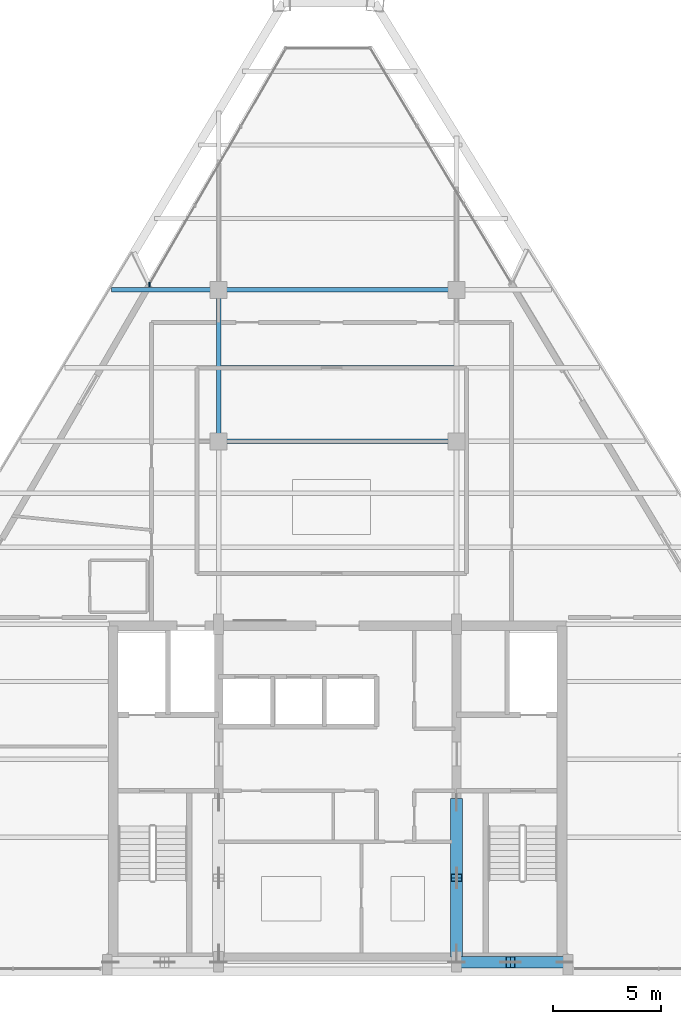
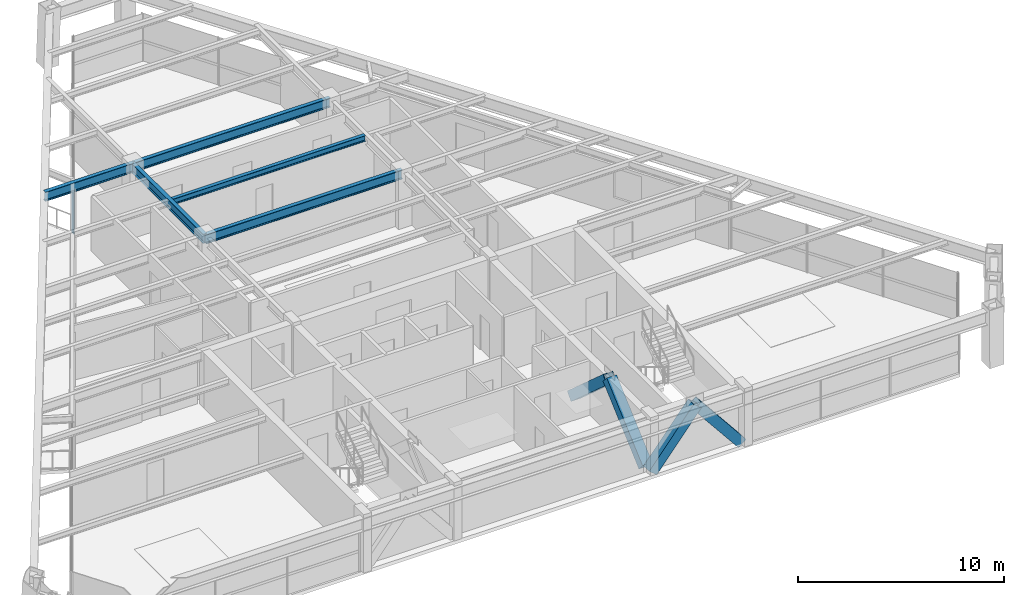
# One storey, part 4 of 13: 6 members, 5 beams, 1 element without a shape of its own.
"""IFC4 building model written with IfcOpenShell, lengths in metres."""

from ifc_helpers import new_model, si_unit, direction, frame, origin, origin_2d, place, context, subcontext, project, spatial, rectangle, hollow_rectangle, i_section, extrude, source, transform, mapped, material, material_profile, profile_set, type_object, element, aggregate, save


model = new_model("IFC4")

# Units and contexts
model_context = context("Model", 3, precision=1e-05, world=origin(), true_north=direction((0.0, 1.0)))
body_context = subcontext(model_context, "Body", "Model", "MODEL_VIEW")
ifc_project = project(units=[si_unit("LENGTHUNIT", "METRE"), si_unit("AREAUNIT", "SQUARE_METRE"), si_unit("VOLUMEUNIT", "CUBIC_METRE"), si_unit("PLANEANGLEUNIT", "RADIAN"), si_unit("MASSUNIT", "GRAM", prefix="KILO")], contexts=[model_context])

# Site, building, storey
site_placement = place(None, origin())
site = spatial("IfcSite", under=ifc_project, at=site_placement, CompositionType="ELEMENT")
building_placement = place(site_placement, origin())
building = spatial("IfcBuilding", under=site, at=building_placement, Name="Varnakhor Terracotta Tower", CompositionType="ELEMENT")
storey_placement = place(building_placement, frame((0.0, 0.0, 266.10009765625)))
storey = spatial("IfcBuildingStorey", under=building, at=storey_placement, Name="L69", CompositionType="ELEMENT", Elevation=266.10009765625)

# Beams
ifc_material_1 = material(Name="Steel S355", Category="steel")
ifc_material_profile_1 = material_profile(ifc_material_1, i_section(OverallWidth=0.214111328125, OverallDepth=0.549072265625, WebThickness=0.014892578125, FlangeThickness=0.02392578125, FilletRadius=0.01806640625, at=origin_2d()), Name="W21X93")
ifc_profile_set_1 = profile_set([ifc_material_profile_1], Name="Steel S355")
beam_type_1 = type_object("IfcBeamType", Name="BM-W21X93", PredefinedType="BEAM", material=ifc_profile_set_1)
shared_shape_1 = source(origin(), body_context, "Body", "SweptSolid", [
    extrude(i_section(OverallWidth=0.214111328125, OverallDepth=0.549072265625, WebThickness=0.014892578125, FlangeThickness=0.02392578125, FilletRadius=0.01806640625, at=origin_2d()), origin(), (0.0, 0.0, 1.0), 7.0),
])
beam_1_placement = place(storey_placement, frame((-5.5, 24.5, 2.96533203125), z_axis=(0.0, 1.0, 0.0), x_axis=(-1.0, 0.0, 0.0)))
element("IfcBeam", 1, at=beam_1_placement, inside=storey, type_object=beam_type_1, Name="L69 Primary Girder NS2-W", PredefinedType="BEAM", context=body_context, shape_type="MappedRepresentation", body=[
    mapped(shared_shape_1, transform((0.0, 0.0, 0.0), scale=1.0)),
])
shared_shape_2 = source(origin(), body_context, "Body", "SweptSolid", [
    extrude(i_section(OverallWidth=0.214111328125, OverallDepth=0.549072265625, WebThickness=0.014892578125, FlangeThickness=0.02392578125, FilletRadius=0.01806640625, at=origin_2d()), origin(), (0.0, 0.0, 1.0), 11.0),
])
for number, where, z_axis, x_axis, name in (
    (2, (-5.5, 24.5, 2.96533203125), (1.0, 0.0, 0.0), (0.0, 1.0, 0.0), "L69 Primary Girder EW2-2"),
    (3, (-5.5, 31.5, 2.96533203125), (1.0, 0.0, 0.0), (0.0, 1.0, 0.0), "L69 Primary Girder EW3-2"),
):
    element("IfcBeam", number, at=place(storey_placement, frame(where, z_axis=z_axis, x_axis=x_axis)), inside=storey, type_object=beam_type_1, Name=name, PredefinedType="BEAM", context=body_context, shape_type="MappedRepresentation", body=[
        mapped(shared_shape_2, transform((0.0, 0.0, 0.0), scale=1.0)),
    ])
ifc_material_profile_2 = material_profile(ifc_material_1, i_section(OverallWidth=0.202880859375, OverallDepth=0.346923828125, WebThickness=0.0078125, FlangeThickness=0.013427734375, FilletRadius=0.01806640625, at=origin_2d()), Name="W14X43")
ifc_profile_set_2 = profile_set([ifc_material_profile_2], Name="Steel S355")
beam_type_2 = type_object("IfcBeamType", Name="JST-W14X43", PredefinedType="JOIST", material=ifc_profile_set_2)
shared_shape_3 = source(origin(), body_context, "Body", "SweptSolid", [
    extrude(i_section(OverallWidth=0.202880859375, OverallDepth=0.346923828125, WebThickness=0.0078125, FlangeThickness=0.013427734375, FilletRadius=0.01806640625, at=origin_2d()), origin(), (0.0, 0.0, 1.0), 10.7939453125),
])
beam_2_placement = place(storey_placement, frame((-5.39697265625, 27.89990234375, 3.06640625), z_axis=(1.0, 0.0, 0.0), x_axis=(0.0, 1.0, 0.0)))
element("IfcBeam", 4, at=beam_2_placement, inside=storey, type_object=beam_type_2, Name="L69 Composite Floor Joist 6-2", PredefinedType="JOIST", context=body_context, shape_type="MappedRepresentation", body=[
    mapped(shared_shape_3, transform((0.0, 0.0, 0.0), scale=1.0)),
])

# Members
ifc_material_profile_3 = material_profile(ifc_material_1, hollow_rectangle(XDim=0.550048828125, YDim=0.550048828125, WallThickness=0.034912109375, at=origin_2d()), Name="HSS550X550X35")
ifc_profile_set_3 = profile_set([ifc_material_profile_3], Name="Steel S355")
member_type_1 = type_object("IfcMemberType", Name="MBR-MEGA-550", PredefinedType="BRACE", material=ifc_profile_set_3)
shared_shape_4 = source(origin(), body_context, "Body", "SweptSolid", [
    extrude(hollow_rectangle(XDim=0.550048828125, YDim=0.550048828125, WallThickness=0.034912109375, at=origin_2d()), origin(), (0.0, 0.0, 1.0), 4.650146484375),
])
member_1_placement = place(storey_placement, frame((5.5, 7.800048828125, 0.0), z_axis=(0.0, -0.747316617832, 0.664468112638), x_axis=(1.0, 0.0, 0.0)))
element("IfcMember", 5, at=member_1_placement, inside=storey, type_object=member_type_1, Name="L69 Core Coupled Brace CWEB", PredefinedType="BRACE", context=body_context, shape_type="MappedRepresentation", body=[
    mapped(shared_shape_4, transform((0.0, 0.0, 0.0), scale=1.0)),
])
shared_shape_5 = source(origin(), body_context, "Body", "SweptSolid", [
    extrude(hollow_rectangle(XDim=0.550048828125, YDim=0.550048828125, WallThickness=0.034912109375, at=origin_2d()), origin(), (0.0, 0.0, 1.0), 3.974609375),
])
for number, where, z_axis, x_axis, name in (
    (6, (5.5, 0.419921875, 0.0), (0.629000299358, 0.0, 0.777405057488), (0.0, 1.0, 0.0), "L69 Core Coupled Brace CSEA"),
    (7, (10.5, 0.419921875, 0.0), (-0.629000299358, 0.0, 0.777405057488), (0.0, -1.0, 0.0), "L69 Core Coupled Brace CSEB"),
):
    element("IfcMember", number, at=place(storey_placement, frame(where, z_axis=z_axis, x_axis=x_axis)), inside=storey, type_object=member_type_1, Name=name, PredefinedType="BRACE", context=body_context, shape_type="MappedRepresentation", body=[
        mapped(shared_shape_5, transform((0.0, 0.0, 0.0), scale=1.0)),
    ])
shared_shape_6 = source(origin(), body_context, "Body", "SweptSolid", [
    extrude(hollow_rectangle(XDim=0.550048828125, YDim=0.550048828125, WallThickness=0.034912109375, at=origin_2d()), origin(), (0.0, 0.0, 1.0), 4.64990234375),
])
member_2_placement = place(storey_placement, frame((5.5, 0.85009765625, 0.0), z_axis=(0.0, 0.747293435799, 0.664494184182), x_axis=(-1.0, 0.0, 0.0)))
element("IfcMember", 8, at=member_2_placement, inside=storey, type_object=member_type_1, Name="L69 Core Coupled Brace CWEA", PredefinedType="BRACE", context=body_context, shape_type="MappedRepresentation", body=[
    mapped(shared_shape_6, transform((0.0, 0.0, 0.0), scale=1.0)),
])

# Beam
shared_shape_7 = source(origin(), body_context, "Body", "SweptSolid", [
    extrude(i_section(OverallWidth=0.214111328125, OverallDepth=0.549072265625, WebThickness=0.014892578125, FlangeThickness=0.02392578125, FilletRadius=0.01806640625, at=origin_2d()), origin(), (0.0, 0.0, 1.0), 4.947265625),
])
beam_3_placement = place(storey_placement, frame((-10.447265625, 31.5, 2.96533203125), z_axis=(1.0, 0.0, 0.0), x_axis=(0.0, 1.0, 0.0)))
element("IfcBeam", 9, at=beam_3_placement, inside=storey, type_object=beam_type_1, Name="L69 Primary Girder EW3-1", PredefinedType="BEAM", context=body_context, shape_type="MappedRepresentation", body=[
    mapped(shared_shape_7, transform((0.0, 0.0, 0.0), scale=1.0)),
])

# Curtain wall, members
ifc_material_2 = material(Name="Anodised Aluminium Curtain Wall System", Category="aluminium")
curtain_wall_type = type_object("IfcCurtainWallType", Name="CW-SYS-HOTEL-LOGGIA", PredefinedType="NOTDEFINED", material=ifc_material_2)
curtain_wall_placement = place(storey_placement, origin())
curtain_wall = element("IfcCurtainWall", 10, at=curtain_wall_placement, inside=storey, type_object=curtain_wall_type, Name="L69 W Facet Curtain Wall 2", PredefinedType="NOTDEFINED")
ifc_material_3 = material(Name="Anodised Aluminium 6063-T6", Category="aluminium")
ifc_material_profile_4 = material_profile(ifc_material_3, rectangle(XDim=0.06494140625, YDim=0.159912109375, at=origin_2d()), Name="ALU MULLION 65x160")
ifc_profile_set_4 = profile_set([ifc_material_profile_4], Name="Anodised Aluminium 6063-T6")
member_type_2 = type_object("IfcMemberType", Name="CWM-04", PredefinedType="MULLION", material=ifc_profile_set_4)
shared_shape_8 = source(origin(), body_context, "Body", "SweptSolid", [
    extrude(rectangle(XDim=0.06494140625, YDim=0.159912109375, at=origin_2d()), origin(), (0.0, 0.0, 1.0), 2.81982421875),
])
member_3_placement = place(storey_placement, frame((-8.700927734375, 31.7626953125, 0.0), z_axis=(0.0, 0.0, 1.0), x_axis=(1.0, 0.0, 0.0)))
member_3 = element("IfcMember", 11, at=member_3_placement, type_object=member_type_2, Name="L69 W Facet Curtain Wall 2 Mullion 1", PredefinedType="MULLION", context=body_context, shape_type="MappedRepresentation", body=[
    mapped(shared_shape_8, transform((0.0, 0.0, 0.0), scale=1.0)),
])
member_4_placement = place(storey_placement, frame((-8.69873046875, 31.726806640625, 0.0), z_axis=(0.0, 0.0, 1.0), x_axis=(1.0, 0.0, 0.0)))
member_4 = element("IfcMember", 12, at=member_4_placement, type_object=member_type_2, Name="L69 W Loggia Jamb Closure Mullion 2", PredefinedType="MULLION", context=body_context, shape_type="MappedRepresentation", body=[
    mapped(shared_shape_8, transform((0.0, 0.0, 0.0), scale=1.0)),
])
aggregate(curtain_wall, [member_3, member_4])

save(model, "model.ifc")
